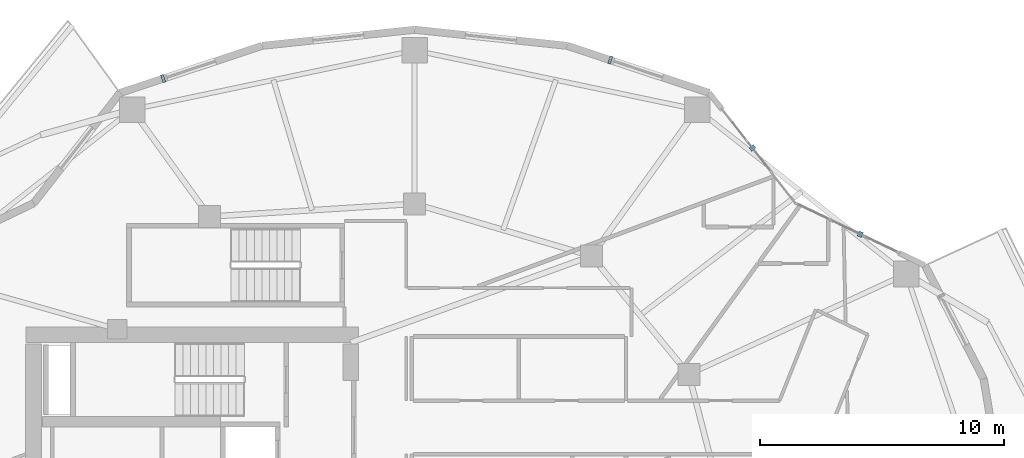
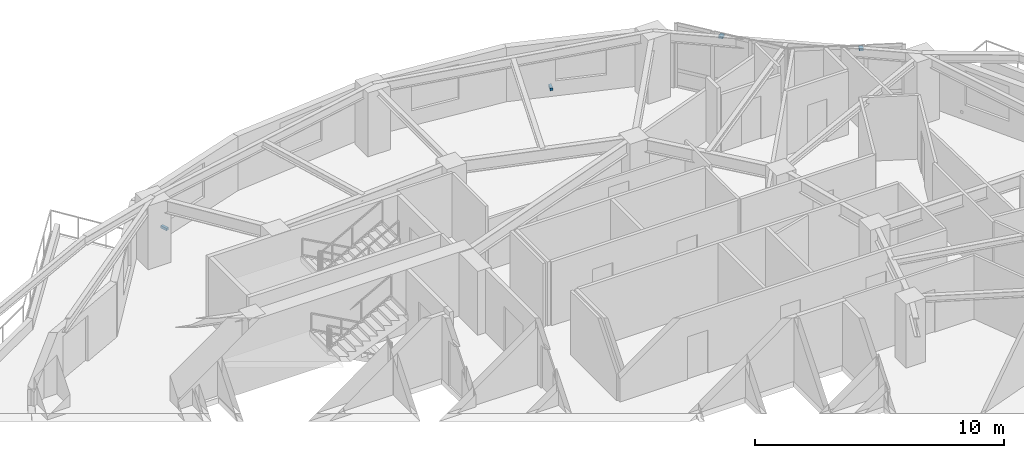
# One storey, part 12 of 15: 4 discrete accessories.
"""IFC4 building model written with IfcOpenShell, lengths in metres."""

from ifc_helpers import new_model, si_unit, direction, frame, origin, origin_2d, place, context, subcontext, project, spatial, rectangle, extrude, material, type_object, element, save


model = new_model("IFC4")

# Units and contexts
model_context = context("Model", 3, precision=1e-05, world=origin(), true_north=direction((0.0, 1.0)))
body_context = subcontext(model_context, "Body", "Model", "MODEL_VIEW")
ifc_project = project(units=[si_unit("LENGTHUNIT", "METRE"), si_unit("AREAUNIT", "SQUARE_METRE"), si_unit("VOLUMEUNIT", "CUBIC_METRE"), si_unit("PLANEANGLEUNIT", "RADIAN"), si_unit("MASSUNIT", "GRAM", prefix="KILO")], contexts=[model_context])

# Site, building, storey
site_placement = place(None, origin())
site = spatial("IfcSite", under=ifc_project, at=site_placement, CompositionType="ELEMENT")
building_placement = place(site_placement, origin())
building = spatial("IfcBuilding", under=site, at=building_placement, Name="Kolvaren Gate Tower and Convention Centre", CompositionType="ELEMENT")
storey_placement = place(building_placement, frame((0.0, 0.0, 129.10009765625)))
storey = spatial("IfcBuildingStorey", under=building, at=storey_placement, Name="L32", CompositionType="ELEMENT", Elevation=129.10009765625)

# Discrete accessories
ifc_material = material(Name="Anodized Architectural Aluminium Alloy 6063-T6", Category="aluminium")
discrete_accessory_type = type_object("IfcDiscreteAccessoryType", Name="ARCH-ACC-BRACKET-120", PredefinedType="BRACKET", material=ifc_material)
for number, where, z_axis, x_axis, name in (
    (1, (48.42041015625, 37.948974609375, 2.949951171875), (0.0, 0.0, 1.0), (0.901362925045, -0.433064518696, 0.0), "Solar Screen Spandrel Anchor Bracket BK-L32-02"),
    (2, (43.993896484375, 41.490234375, 2.949951171875), (0.0, 0.0, 1.0), (0.616424499081, -0.787414018756, 0.0), "Solar Screen Spandrel Anchor Bracket BK-L32-03"),
):
    element("IfcDiscreteAccessory", number, at=place(storey_placement, frame(where, z_axis=z_axis, x_axis=x_axis)), inside=storey, type_object=discrete_accessory_type, Name=name, PredefinedType="BRACKET", context=body_context, shape_type="SweptSolid", body=[
        extrude(rectangle(XDim=0.179931640625, YDim=0.219970703125, at=origin_2d()), origin(), (0.0, 0.0, 1.0), 0.1201171875),
    ])
for number, where, z_axis, x_axis, name in (
    (3, (38.153564453125, 45.104736328125, 0.289794921875), (0.0, 0.0, 1.0), (0.949240081615, -0.314552487599, 0.0), "Ceramic Fin Wall Anchor Bracket FBK-L32-04"),
    (4, (19.7998046875, 44.343505859375, 0.289794921875), (0.0, 0.0, 1.0), (0.949238434609, 0.314557457804, 0.0), "Ceramic Fin Wall Anchor Bracket FBK-L32-07"),
):
    element("IfcDiscreteAccessory", number, at=place(storey_placement, frame(where, z_axis=z_axis, x_axis=x_axis)), inside=storey, type_object=discrete_accessory_type, Name=name, PredefinedType="BRACKET", context=body_context, shape_type="SweptSolid", body=[
        extrude(rectangle(XDim=0.1201171875, YDim=0.320068359375, at=origin_2d()), origin(), (0.0, 0.0, 1.0), 0.1201171875),
    ])

save(model, "model.ifc")
